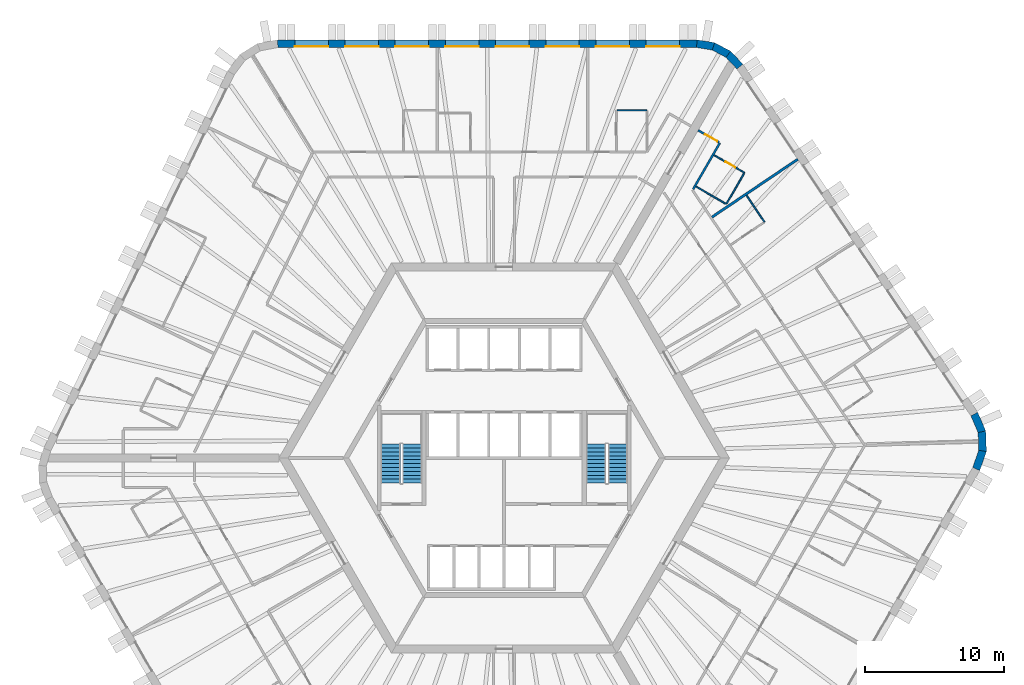
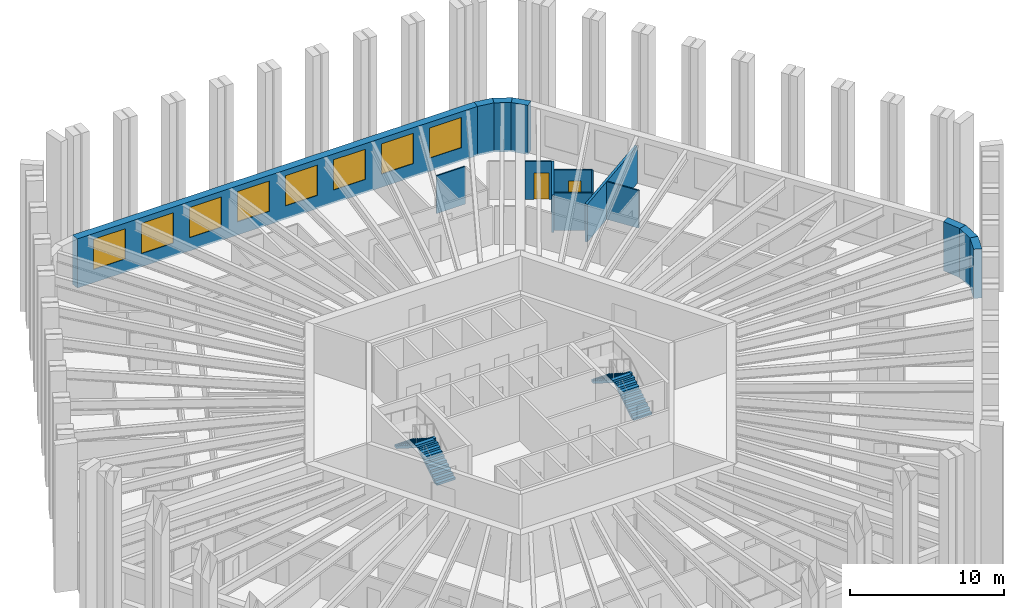
# One storey, part 10 of 12: 15 walls, 8 windows, 4 stair flights, 2 doors, 10 openings, 2 elements without a shape of their own.
"""IFC4 building model written with IfcOpenShell, lengths in metres."""

from ifc_helpers import new_model, si_unit, direction, frame, frame_2d, origin, place, context, subcontext, project, spatial, polyline, rectangle, outline, extrude, material, layer, layer_set, type_object, element, fill, aggregate, save


model = new_model("IFC4")

# Units and contexts
model_context = context("Model", 3, precision=1e-05, world=origin(), true_north=direction((0.0, 1.0)))
body_context = subcontext(model_context, "Body", "Model", "MODEL_VIEW")
ifc_project = project(units=[si_unit("LENGTHUNIT", "METRE"), si_unit("AREAUNIT", "SQUARE_METRE"), si_unit("VOLUMEUNIT", "CUBIC_METRE"), si_unit("PLANEANGLEUNIT", "RADIAN"), si_unit("MASSUNIT", "GRAM", prefix="KILO")], contexts=[model_context])

# Site, building, storey
site_placement = place(None, origin())
site = spatial("IfcSite", under=ifc_project, at=site_placement, CompositionType="ELEMENT")
building_placement = place(site_placement, origin())
building = spatial("IfcBuilding", under=site, at=building_placement, Name="Tarnside Tower", CompositionType="ELEMENT")
storey_placement = place(building_placement, frame((0.0, 0.0, 37.5)))
storey = spatial("IfcBuildingStorey", under=building, at=storey_placement, Name="L06", CompositionType="ELEMENT", Elevation=37.5)

# Walls
ifc_material_1 = material(Name="Gypsum board partition on steel studs", Category="steel")
ifc_layer_1 = layer(ifc_material_1, 0.10009765625)
ifc_layer_set_1 = layer_set([ifc_layer_1], Name="Bathroom wall 100")
wall_type_1 = type_object("IfcWallType", Name="Bathroom wall 100", PredefinedType="PARTITIONING", material=ifc_layer_set_1)
wall_1_placement = place(storey_placement, frame((8.097900390625, 24.949951171875, 0.0), z_axis=(0.0, 0.0, 1.0), x_axis=(1.0, 0.0, 0.0)))
element("IfcWall", 1, at=wall_1_placement, inside=storey, type_object=wall_type_1, Name="Bathroom wall 01078", PredefinedType="PARTITIONING", context=body_context, shape_type="SweptSolid", body=[
    extrude(rectangle(XDim=2.150146484375, YDim=0.10009765625, at=frame_2d((1.0751953125, 0.0))), origin(), (0.0, 0.0, 1.0), 2.98779296875),
])
wall_2_placement = place(storey_placement, frame((17.385986328125, 18.84228515625, 0.0), z_axis=(0.0, 0.0, 1.0), x_axis=(0.559131530856, -0.829078965602, 0.0)))
element("IfcWall", 2, at=wall_2_placement, inside=storey, type_object=wall_type_1, Name="Bathroom wall 01147", PredefinedType="PARTITIONING", context=body_context, shape_type="SweptSolid", body=[
    extrude(rectangle(XDim=2.309814453125, YDim=0.10009765625, at=frame_2d((1.15478515625, 0.0))), origin(), (0.0, 0.0, 1.0), 2.98779296875),
])

# Wall, opening, door
wall_3_placement = place(storey_placement, frame((15.057373046875, 21.72998046875, 0.0), z_axis=(0.0, 0.0, 1.0), x_axis=(0.866014894461, -0.50001820224, 0.0)))
wall_3 = element("IfcWall", 3, at=wall_3_placement, inside=storey, type_object=wall_type_1, Name="Bathroom wall 01153", PredefinedType="PARTITIONING", context=body_context, shape_type="SweptSolid", body=[
    extrude(rectangle(XDim=2.52490234375, YDim=0.10009765625, at=frame_2d((1.262451171875, 0.0))), origin(), (0.0, 0.0, 1.0), 2.98779296875),
])
opening_1_placement = place(wall_3_placement, frame((0.955078125, 0.0, 0.0)))
opening_1 = element("IfcOpeningElement", 4, at=opening_1_placement, cuts=wall_3, Name="Opening D-B1", PredefinedType="OPENING", context=body_context, shape_type="SweptSolid", body=[
    extrude(rectangle(XDim=0.800048828125, YDim=2.10009765625, at=frame_2d((0.39990234375, 1.050048828125))), frame((0.0, 0.06005859375, 0.0), z_axis=(0.0, -1.0, 0.0), x_axis=(1.0, 0.0, 0.0)), (0.0, 0.0, 1.0), 0.1201171875),
])
ifc_material_2 = material(Name="Timber door leaf", Category="wood")
door_type_1 = type_object("IfcDoorType", Name="Bathroom door 800", OperationType="NOTDEFINED", PredefinedType="DOOR", material=ifc_material_2)
door_1_placement = place(opening_1_placement, origin())
door_1 = element("IfcDoor", 5, at=door_1_placement, inside=storey, type_object=door_type_1, Name="Bathroom door 01041", OperationType="SINGLE_SWING_LEFT", OverallHeight=2.10009765625, OverallWidth=0.800048828125, PredefinedType="DOOR", context=body_context, shape_type="SweptSolid", body=[
    extrude(rectangle(XDim=0.800048828125, YDim=2.10009765625, at=frame_2d((0.39990234375, 1.050048828125))), frame((0.0, 0.02490234375, 0.0), z_axis=(0.0, -1.0, 0.0), x_axis=(1.0, 0.0, 0.0)), (0.0, 0.0, 1.0), 0.050048828125),
])
fill(opening_1, door_1)

# Walls
wall_4_placement = place(storey_placement, frame((17.218994140625, 20.42431640625, 0.0), z_axis=(0.0, 0.0, 1.0), x_axis=(-0.499948979701, -0.866054858364, 0.0)))
element("IfcWall", 6, at=wall_4_placement, inside=storey, type_object=wall_type_1, Name="Bathroom wall 01154", PredefinedType="PARTITIONING", context=body_context, shape_type="SweptSolid", body=[
    extrude(rectangle(XDim=2.550048828125, YDim=0.10009765625, at=frame_2d((1.27490234375, 0.0))), origin(), (0.0, 0.0, 1.0), 2.98779296875),
])
wall_5_placement = place(storey_placement, frame((15.900634765625, 18.24072265625, 0.0), z_axis=(0.0, 0.0, 1.0), x_axis=(-0.866006523861, 0.500032699561, 0.0)))
element("IfcWall", 7, at=wall_5_placement, inside=storey, type_object=wall_type_1, Name="Bathroom wall 01155", PredefinedType="PARTITIONING", context=body_context, shape_type="SweptSolid", body=[
    extrude(rectangle(XDim=2.474853515625, YDim=0.10009765625, at=frame_2d((1.2373046875, 0.0))), origin(), (0.0, 0.0, 1.0), 2.98779296875),
])
ifc_layer_2 = layer(ifc_material_1, 0.14990234375)
ifc_layer_set_2 = layer_set([ifc_layer_2], Name="Corridor wall 150 EI 60")
wall_type_2 = type_object("IfcWallType", Name="Corridor wall 150 EI 60", PredefinedType="PARTITIONING", material=ifc_layer_set_2)
wall_6_placement = place(storey_placement, frame((13.55908203125, 19.284912109375, 0.0), z_axis=(0.0, 0.0, 1.0), x_axis=(0.499975646431, 0.866039463868, 0.0)))
element("IfcWall", 8, at=wall_6_placement, inside=storey, type_object=wall_type_2, Name="Corridor wall 01064", PredefinedType="PARTITIONING", context=body_context, shape_type="SweptSolid", body=[
    extrude(rectangle(XDim=3.839599609375, YDim=0.14990234375, at=frame_2d((1.919921875, 0.0))), origin(), (0.0, 0.0, 1.0), 2.98779296875),
])

# Wall, opening, door
wall_7_placement = place(storey_placement, frame((15.413818359375, 22.647705078125, 0.0), z_axis=(0.0, 0.0, 1.0), x_axis=(-0.866074815912, 0.499914405916, 0.0)))
wall_7 = element("IfcWall", 9, at=wall_7_placement, inside=storey, type_object=wall_type_2, Name="Corridor wall 01066", PredefinedType="PARTITIONING", context=body_context, shape_type="SweptSolid", body=[
    extrude(rectangle(XDim=1.724853515625, YDim=0.14990234375, at=frame_2d((0.8623046875, 0.0))), origin(), (0.0, 0.0, 1.0), 2.98779296875),
])
opening_2_placement = place(wall_7_placement, frame((0.14990234375, 0.0, 0.0)))
opening_2 = element("IfcOpeningElement", 10, at=opening_2_placement, cuts=wall_7, Name="Opening D-E1", PredefinedType="OPENING", context=body_context, shape_type="SweptSolid", body=[
    extrude(rectangle(XDim=1.0, YDim=2.10009765625, at=frame_2d((0.5, 1.050048828125))), frame((0.0, 0.0849609375, 0.0), z_axis=(0.0, -1.0, 0.0), x_axis=(1.0, 0.0, 0.0)), (0.0, 0.0, 1.0), 0.169921875),
])
door_type_2 = type_object("IfcDoorType", Name="Unit entrance door 1000 FD30S", OperationType="NOTDEFINED", PredefinedType="DOOR", material=ifc_material_2)
door_2_placement = place(opening_2_placement, origin())
door_2 = element("IfcDoor", 11, at=door_2_placement, inside=storey, type_object=door_type_2, Name="Unit door 01040", OperationType="SINGLE_SWING_RIGHT", OverallHeight=2.10009765625, OverallWidth=1.0, PredefinedType="DOOR", context=body_context, shape_type="SweptSolid", body=[
    extrude(rectangle(XDim=1.0, YDim=2.10009765625, at=frame_2d((0.5, 1.050048828125))), frame((0.0, 0.02490234375, 0.0), z_axis=(0.0, -1.0, 0.0), x_axis=(1.0, 0.0, 0.0)), (0.0, 0.0, 1.0), 0.050048828125),
])
fill(opening_2, door_2)

# Wall
ifc_layer_3 = layer(ifc_material_1, 0.179931640625)
ifc_layer_set_3 = layer_set([ifc_layer_3], Name="Demising wall 180 EI 60")
wall_type_3 = type_object("IfcWallType", Name="Demising wall 180 EI 60", PredefinedType="PARTITIONING", material=ifc_layer_set_3)
wall_8_placement = place(storey_placement, frame((21.066162109375, 21.433349609375, 0.0), z_axis=(0.0, 0.0, 1.0), x_axis=(-0.829028170871, -0.559206841788, 0.0)))
element("IfcWall", 12, at=wall_8_placement, inside=storey, type_object=wall_type_3, Name="Demising wall 01151", PredefinedType="PARTITIONING", context=body_context, shape_type="SweptSolid", body=[
    extrude(rectangle(XDim=7.425048828125, YDim=0.179931640625, at=frame_2d((3.71240234375, 0.0))), origin(), (0.0, 0.0, 1.0), 2.98779296875),
])

# Wall, openings, windows
ifc_material_3 = material(Name="Facing brick", Category="masonry")
ifc_layer_4 = layer(ifc_material_3, 0.10205078125)
ifc_material_4 = material(Name="Concrete C60/75 precast", Category="concrete")
ifc_layer_5 = layer(ifc_material_4, 0.347900390625)
ifc_material_5 = material(Name="Mineral wool insulation")
ifc_layer_6 = layer(ifc_material_5, 0.10009765625)
ifc_layer_set_4 = layer_set([ifc_layer_4, ifc_layer_5, ifc_layer_6], Name="Tube wall 550 brick faced")
wall_type_4 = type_object("IfcWallType", Name="Tube wall 550 brick faced", PredefinedType="SOLIDWALL", material=ifc_layer_set_4)
wall_9_placement = place(storey_placement, frame((13.824462890625, 29.72509765625, -0.14990234375), z_axis=(0.0, 0.0, 1.0), x_axis=(-1.0, 0.0, 0.0)))
wall_9 = element("IfcWall", 13, at=wall_9_placement, inside=storey, type_object=wall_type_4, Name="Tube wall L06 F1 flush 00", PredefinedType="SOLIDWALL", context=body_context, shape_type="SweptSolid", body=[
    extrude(outline(polyline([(-0.0224609375, -0.27490234375), (30.0966796875, -0.27490234375), (30.04541015625, 0.27490234375), (0.0224609375, 0.27490234375), (-0.0224609375, -0.27490234375)])), origin(), (0.0, 0.0, 1.0), 3.89990234375),
])
opening_3_placement = place(wall_9_placement, frame((1.235595703125, 0.0, 1.050048828125)))
opening_3 = element("IfcOpeningElement", 14, at=opening_3_placement, cuts=wall_9, Name="Opening WH", PredefinedType="OPENING", context=body_context, shape_type="SweptSolid", body=[
    extrude(rectangle(XDim=2.39990234375, YDim=2.39990234375, at=frame_2d((1.199951171875, 1.199951171875))), frame((0.0, 0.28515625, 0.0), z_axis=(0.0, -1.0, 0.0), x_axis=(1.0, 0.0, 0.0)), (0.0, 0.0, 1.0), 0.570068359375),
])
opening_4_placement = place(wall_9_placement, frame((4.83544921875, 0.0, 1.050048828125)))
opening_4 = element("IfcOpeningElement", 15, at=opening_4_placement, cuts=wall_9, Name="Opening WH", PredefinedType="OPENING", context=body_context, shape_type="SweptSolid", body=[
    extrude(rectangle(XDim=2.39990234375, YDim=2.39990234375, at=frame_2d((1.199951171875, 1.199951171875))), frame((0.0, 0.28515625, 0.0), z_axis=(0.0, -1.0, 0.0), x_axis=(1.0, 0.0, 0.0)), (0.0, 0.0, 1.0), 0.570068359375),
])
opening_5_placement = place(wall_9_placement, frame((8.435546875, 0.0, 1.050048828125)))
opening_5 = element("IfcOpeningElement", 16, at=opening_5_placement, cuts=wall_9, Name="Opening WH", PredefinedType="OPENING", context=body_context, shape_type="SweptSolid", body=[
    extrude(rectangle(XDim=2.39990234375, YDim=2.39990234375, at=frame_2d((1.199951171875, 1.199951171875))), frame((0.0, 0.28515625, 0.0), z_axis=(0.0, -1.0, 0.0), x_axis=(1.0, 0.0, 0.0)), (0.0, 0.0, 1.0), 0.570068359375),
])
opening_6_placement = place(wall_9_placement, frame((12.035400390625, 0.0, 1.050048828125)))
opening_6 = element("IfcOpeningElement", 17, at=opening_6_placement, cuts=wall_9, Name="Opening WH", PredefinedType="OPENING", context=body_context, shape_type="SweptSolid", body=[
    extrude(rectangle(XDim=2.39990234375, YDim=2.39990234375, at=frame_2d((1.199951171875, 1.199951171875))), frame((0.0, 0.28515625, 0.0), z_axis=(0.0, -1.0, 0.0), x_axis=(1.0, 0.0, 0.0)), (0.0, 0.0, 1.0), 0.570068359375),
])
opening_7_placement = place(wall_9_placement, frame((15.635498046875, 0.0, 1.050048828125)))
opening_7 = element("IfcOpeningElement", 18, at=opening_7_placement, cuts=wall_9, Name="Opening WH", PredefinedType="OPENING", context=body_context, shape_type="SweptSolid", body=[
    extrude(rectangle(XDim=2.39990234375, YDim=2.39990234375, at=frame_2d((1.199951171875, 1.199951171875))), frame((0.0, 0.28515625, 0.0), z_axis=(0.0, -1.0, 0.0), x_axis=(1.0, 0.0, 0.0)), (0.0, 0.0, 1.0), 0.570068359375),
])
opening_8_placement = place(wall_9_placement, frame((19.235595703125, 0.0, 1.050048828125)))
opening_8 = element("IfcOpeningElement", 19, at=opening_8_placement, cuts=wall_9, Name="Opening WH", PredefinedType="OPENING", context=body_context, shape_type="SweptSolid", body=[
    extrude(rectangle(XDim=2.39990234375, YDim=2.39990234375, at=frame_2d((1.199951171875, 1.199951171875))), frame((0.0, 0.28515625, 0.0), z_axis=(0.0, -1.0, 0.0), x_axis=(1.0, 0.0, 0.0)), (0.0, 0.0, 1.0), 0.570068359375),
])
opening_9_placement = place(wall_9_placement, frame((22.83544921875, 0.0, 1.050048828125)))
opening_9 = element("IfcOpeningElement", 20, at=opening_9_placement, cuts=wall_9, Name="Opening WH", PredefinedType="OPENING", context=body_context, shape_type="SweptSolid", body=[
    extrude(rectangle(XDim=2.39990234375, YDim=2.39990234375, at=frame_2d((1.199951171875, 1.199951171875))), frame((0.0, 0.28515625, 0.0), z_axis=(0.0, -1.0, 0.0), x_axis=(1.0, 0.0, 0.0)), (0.0, 0.0, 1.0), 0.570068359375),
])
opening_10_placement = place(wall_9_placement, frame((26.435546875, 0.0, 1.050048828125)))
opening_10 = element("IfcOpeningElement", 21, at=opening_10_placement, cuts=wall_9, Name="Opening WH", PredefinedType="OPENING", context=body_context, shape_type="SweptSolid", body=[
    extrude(rectangle(XDim=2.39990234375, YDim=2.39990234375, at=frame_2d((1.199951171875, 1.199951171875))), frame((0.0, 0.28515625, 0.0), z_axis=(0.0, -1.0, 0.0), x_axis=(1.0, 0.0, 0.0)), (0.0, 0.0, 1.0), 0.570068359375),
])
ifc_material_6 = material(Name="Aluminium-framed double glazing", Category="aluminium")
window_type = type_object("IfcWindowType", Name="Hotel window 2400 x 2400", PartitioningType="DOUBLE_PANEL_VERTICAL", PredefinedType="WINDOW", material=ifc_material_6)
window_1_placement = place(opening_3_placement, frame((0.0, 0.205078125, 0.0)))
window_1 = element("IfcWindow", 22, at=window_1_placement, inside=storey, type_object=window_type, Name="E.WN.L06.F1.00", OverallHeight=2.39990234375, OverallWidth=2.39990234375, PartitioningType="DOUBLE_PANEL_VERTICAL", PredefinedType="WINDOW", context=body_context, shape_type="SweptSolid", body=[
    extrude(rectangle(XDim=2.39990234375, YDim=2.39990234375, at=frame_2d((1.199951171875, 1.199951171875))), frame((0.0, 0.030029296875, 0.0), z_axis=(0.0, -1.0, 0.0), x_axis=(1.0, 0.0, 0.0)), (0.0, 0.0, 1.0), 0.06005859375),
])
fill(opening_3, window_1)
window_2_placement = place(opening_4_placement, frame((0.0, 0.205078125, 0.0)))
window_2 = element("IfcWindow", 23, at=window_2_placement, inside=storey, type_object=window_type, Name="E.WN.L06.F1.01", OverallHeight=2.39990234375, OverallWidth=2.39990234375, PartitioningType="DOUBLE_PANEL_VERTICAL", PredefinedType="WINDOW", context=body_context, shape_type="SweptSolid", body=[
    extrude(rectangle(XDim=2.39990234375, YDim=2.39990234375, at=frame_2d((1.199951171875, 1.199951171875))), frame((0.0, 0.030029296875, 0.0), z_axis=(0.0, -1.0, 0.0), x_axis=(1.0, 0.0, 0.0)), (0.0, 0.0, 1.0), 0.06005859375),
])
fill(opening_4, window_2)
window_3_placement = place(opening_5_placement, frame((0.0, 0.205078125, 0.0)))
window_3 = element("IfcWindow", 24, at=window_3_placement, inside=storey, type_object=window_type, Name="E.WN.L06.F1.02", OverallHeight=2.39990234375, OverallWidth=2.39990234375, PartitioningType="DOUBLE_PANEL_VERTICAL", PredefinedType="WINDOW", context=body_context, shape_type="SweptSolid", body=[
    extrude(rectangle(XDim=2.39990234375, YDim=2.39990234375, at=frame_2d((1.199951171875, 1.199951171875))), frame((0.0, 0.030029296875, 0.0), z_axis=(0.0, -1.0, 0.0), x_axis=(1.0, 0.0, 0.0)), (0.0, 0.0, 1.0), 0.06005859375),
])
fill(opening_5, window_3)
window_4_placement = place(opening_6_placement, frame((0.0, 0.205078125, 0.0)))
window_4 = element("IfcWindow", 25, at=window_4_placement, inside=storey, type_object=window_type, Name="E.WN.L06.F1.03", OverallHeight=2.39990234375, OverallWidth=2.39990234375, PartitioningType="DOUBLE_PANEL_VERTICAL", PredefinedType="WINDOW", context=body_context, shape_type="SweptSolid", body=[
    extrude(rectangle(XDim=2.39990234375, YDim=2.39990234375, at=frame_2d((1.199951171875, 1.199951171875))), frame((0.0, 0.030029296875, 0.0), z_axis=(0.0, -1.0, 0.0), x_axis=(1.0, 0.0, 0.0)), (0.0, 0.0, 1.0), 0.06005859375),
])
fill(opening_6, window_4)
window_5_placement = place(opening_7_placement, frame((0.0, 0.205078125, 0.0)))
window_5 = element("IfcWindow", 26, at=window_5_placement, inside=storey, type_object=window_type, Name="E.WN.L06.F1.04", OverallHeight=2.39990234375, OverallWidth=2.39990234375, PartitioningType="DOUBLE_PANEL_VERTICAL", PredefinedType="WINDOW", context=body_context, shape_type="SweptSolid", body=[
    extrude(rectangle(XDim=2.39990234375, YDim=2.39990234375, at=frame_2d((1.199951171875, 1.199951171875))), frame((0.0, 0.030029296875, 0.0), z_axis=(0.0, -1.0, 0.0), x_axis=(1.0, 0.0, 0.0)), (0.0, 0.0, 1.0), 0.06005859375),
])
fill(opening_7, window_5)
window_6_placement = place(opening_8_placement, frame((0.0, 0.205078125, 0.0)))
window_6 = element("IfcWindow", 27, at=window_6_placement, inside=storey, type_object=window_type, Name="E.WN.L06.F1.05", OverallHeight=2.39990234375, OverallWidth=2.39990234375, PartitioningType="DOUBLE_PANEL_VERTICAL", PredefinedType="WINDOW", context=body_context, shape_type="SweptSolid", body=[
    extrude(rectangle(XDim=2.39990234375, YDim=2.39990234375, at=frame_2d((1.199951171875, 1.199951171875))), frame((0.0, 0.030029296875, 0.0), z_axis=(0.0, -1.0, 0.0), x_axis=(1.0, 0.0, 0.0)), (0.0, 0.0, 1.0), 0.06005859375),
])
fill(opening_8, window_6)
window_7_placement = place(opening_9_placement, frame((0.0, 0.205078125, 0.0)))
window_7 = element("IfcWindow", 28, at=window_7_placement, inside=storey, type_object=window_type, Name="E.WN.L06.F1.06", OverallHeight=2.39990234375, OverallWidth=2.39990234375, PartitioningType="DOUBLE_PANEL_VERTICAL", PredefinedType="WINDOW", context=body_context, shape_type="SweptSolid", body=[
    extrude(rectangle(XDim=2.39990234375, YDim=2.39990234375, at=frame_2d((1.199951171875, 1.199951171875))), frame((0.0, 0.030029296875, 0.0), z_axis=(0.0, -1.0, 0.0), x_axis=(1.0, 0.0, 0.0)), (0.0, 0.0, 1.0), 0.06005859375),
])
fill(opening_9, window_7)
window_8_placement = place(opening_10_placement, frame((0.0, 0.205078125, 0.0)))
window_8 = element("IfcWindow", 29, at=window_8_placement, inside=storey, type_object=window_type, Name="E.WN.L06.F1.07", OverallHeight=2.39990234375, OverallWidth=2.39990234375, PartitioningType="DOUBLE_PANEL_VERTICAL", PredefinedType="WINDOW", context=body_context, shape_type="SweptSolid", body=[
    extrude(rectangle(XDim=2.39990234375, YDim=2.39990234375, at=frame_2d((1.199951171875, 1.199951171875))), frame((0.0, 0.030029296875, 0.0), z_axis=(0.0, -1.0, 0.0), x_axis=(1.0, 0.0, 0.0)), (0.0, 0.0, 1.0), 0.06005859375),
])
fill(opening_10, window_8)

# Walls
wall_10_placement = place(storey_placement, frame((33.865966796875, -0.79248046875, -0.14990234375), z_axis=(0.0, 0.0, 1.0), x_axis=(0.33111537203, 0.943590276765, 0.0)))
element("IfcWall", 30, at=wall_10_placement, inside=storey, type_object=wall_type_4, Name="Tube wall L06 F5 chord 17", PredefinedType="SOLIDWALL", context=body_context, shape_type="SweptSolid", body=[
    extrude(outline(polyline([(-0.025634765625, -0.27490234375), (1.4306640625, -0.27490234375), (1.3271484375, 0.27490234375), (0.025634765625, 0.27490234375), (-0.025634765625, -0.27490234375)])), origin(), (0.0, 0.0, 1.0), 3.89990234375),
])
wall_11_placement = place(storey_placement, frame((34.322509765625, 0.508544921875, -0.14990234375), z_axis=(0.0, 0.0, 1.0), x_axis=(-0.034876908462, 0.999391615562, 0.0)))
element("IfcWall", 31, at=wall_11_placement, inside=storey, type_object=wall_type_4, Name="Tube wall L06 F5 chord 18", PredefinedType="SOLIDWALL", context=body_context, shape_type="SweptSolid", body=[
    extrude(outline(polyline([(-0.0517578125, -0.27490234375), (1.4306640625, -0.27490234375), (1.3271484375, 0.27490234375), (0.0517578125, 0.27490234375), (-0.0517578125, -0.27490234375)])), origin(), (0.0, 0.0, 1.0), 3.89990234375),
])
wall_12_placement = place(storey_placement, frame((34.2744140625, 1.88671875, -0.14990234375), z_axis=(0.0, 0.0, 1.0), x_axis=(-0.396161342798, 0.918180913803, 0.0)))
element("IfcWall", 32, at=wall_12_placement, inside=storey, type_object=wall_type_4, Name="Tube wall L06 F5 chord 19", PredefinedType="SOLIDWALL", context=body_context, shape_type="SweptSolid", body=[
    extrude(outline(polyline([(-0.0517578125, -0.27490234375), (1.40478515625, -0.27490234375), (1.353515625, 0.27490234375), (0.0517578125, 0.27490234375), (-0.0517578125, -0.27490234375)])), origin(), (0.0, 0.0, 1.0), 3.89990234375),
])
wall_13_placement = place(storey_placement, frame((16.91259765625, 28.0830078125, -0.14990234375), z_axis=(0.0, 0.0, 1.0), x_axis=(-0.686196220404, 0.727416488061, 0.0)))
element("IfcWall", 33, at=wall_13_placement, inside=storey, type_object=wall_type_4, Name="Tube wall L06 F6 chord 21", PredefinedType="SOLIDWALL", context=body_context, shape_type="SweptSolid", body=[
    extrude(outline(polyline([(-0.0224609375, -0.27490234375), (1.25341796875, -0.27490234375), (1.1630859375, 0.27490234375), (0.0224609375, 0.27490234375), (-0.0224609375, -0.27490234375)])), origin(), (0.0, 0.0, 1.0), 3.89990234375),
])
wall_14_placement = place(storey_placement, frame((16.08349609375, 28.9619140625, -0.14990234375), z_axis=(0.0, 0.0, 1.0), x_axis=(-0.882995347911, 0.469381737574, 0.0)))
element("IfcWall", 34, at=wall_14_placement, inside=storey, type_object=wall_type_4, Name="Tube wall L06 F6 chord 22", PredefinedType="SOLIDWALL", context=body_context, shape_type="SweptSolid", body=[
    extrude(outline(polyline([(-0.045166015625, -0.27490234375), (1.25341796875, -0.27490234375), (1.1630859375, 0.27490234375), (0.045166015625, 0.27490234375), (-0.045166015625, -0.27490234375)])), origin(), (0.0, 0.0, 1.0), 3.89990234375),
])
wall_15_placement = place(storey_placement, frame((15.0166015625, 29.529052734375, -0.14990234375), z_axis=(0.0, 0.0, 1.0), x_axis=(-0.986746625868, 0.162268593195, 0.0)))
element("IfcWall", 35, at=wall_15_placement, inside=storey, type_object=wall_type_4, Name="Tube wall L06 F6 chord 23", PredefinedType="SOLIDWALL", context=body_context, shape_type="SweptSolid", body=[
    extrude(outline(polyline([(-0.045166015625, -0.27490234375), (1.230712890625, -0.27490234375), (1.185791015625, 0.27490234375), (0.045166015625, 0.27490234375), (-0.045166015625, -0.27490234375)])), origin(), (0.0, 0.0, 1.0), 3.89990234375),
])

# Stair, stair flights
ifc_material_7 = material(Name="Concrete C40/50", Category="concrete")
stair_type = type_object("IfcStairType", Name="Exit stair 1400 clear", PredefinedType="HALF_TURN_STAIR", material=ifc_material_7)
stair_1_placement = place(storey_placement, origin())
stair_1 = element("IfcStair", 36, at=stair_1_placement, inside=storey, type_object=stair_type, Name="L06 Exit stair 1", PredefinedType="HALF_TURN_STAIR")
stair_flight_type = type_object("IfcStairFlightType", Name="Exit stair flight 1400", PredefinedType="STRAIGHT", material=ifc_material_7)
stair_flight_1_placement = place(storey_placement, frame((8.14990234375, -1.800048828125, 0.0), z_axis=(0.0, 0.0, 1.0), x_axis=(0.0, 1.0, 0.0)))
stair_flight_1 = element("IfcStairFlight", 37, at=stair_flight_1_placement, type_object=stair_flight_type, Name="ST1 flight 1", NumberOfRisers=11, NumberOfTreads=10, PredefinedType="STRAIGHT", RiserHeight=0.177272727, TreadLength=0.28, context=body_context, shape_type="SweptSolid", body=[
    extrude(outline(polyline([(0.0, 0.0), (0.0, 0.17724609375), (0.280029296875, 0.17724609375), (0.280029296875, 0.3544921875), (0.56005859375, 0.3544921875), (0.56005859375, 0.53173828125), (0.840087890625, 0.53173828125), (0.840087890625, 0.708984375), (1.1201171875, 0.708984375), (1.1201171875, 0.886474609375), (1.39990234375, 0.886474609375), (1.39990234375, 1.063720703125), (1.679931640625, 1.063720703125), (1.679931640625, 1.240966796875), (1.9599609375, 1.240966796875), (1.9599609375, 1.418212890625), (2.239990234375, 1.418212890625), (2.239990234375, 1.595458984375), (2.52001953125, 1.595458984375), (2.52001953125, 1.772705078125), (2.800048828125, 1.772705078125), (2.800048828125, 1.949951171875), (2.800048828125, 1.59521484375), (0.2802734375, 0.0), (0.0, 0.0)])), frame((0.0, 0.699951171875, 0.0), z_axis=(0.0, -1.0, 0.0), x_axis=(1.0, 0.0, 0.0)), (0.0, 0.0, 1.0), 1.39990234375),
])
stair_flight_2_placement = place(storey_placement, frame((6.60009765625, 1.0, 1.949951171875), z_axis=(0.0, 0.0, 1.0), x_axis=(0.0, -1.0, 0.0)))
stair_flight_2 = element("IfcStairFlight", 38, at=stair_flight_2_placement, type_object=stair_flight_type, Name="ST1 flight 2", NumberOfRisers=11, NumberOfTreads=10, PredefinedType="STRAIGHT", RiserHeight=0.177272727, TreadLength=0.28, context=body_context, shape_type="SweptSolid", body=[
    extrude(outline(polyline([(0.0, 0.0), (0.0, 0.17724609375), (0.280029296875, 0.17724609375), (0.280029296875, 0.3544921875), (0.56005859375, 0.3544921875), (0.56005859375, 0.53173828125), (0.840087890625, 0.53173828125), (0.840087890625, 0.708984375), (1.1201171875, 0.708984375), (1.1201171875, 0.886474609375), (1.39990234375, 0.886474609375), (1.39990234375, 1.063720703125), (1.679931640625, 1.063720703125), (1.679931640625, 1.240966796875), (1.9599609375, 1.240966796875), (1.9599609375, 1.418212890625), (2.239990234375, 1.418212890625), (2.239990234375, 1.595458984375), (2.52001953125, 1.595458984375), (2.52001953125, 1.772705078125), (2.800048828125, 1.772705078125), (2.800048828125, 1.949951171875), (2.800048828125, 1.59521484375), (0.2802734375, 0.0), (0.0, 0.0)])), frame((0.0, 0.699951171875, 0.0), z_axis=(0.0, -1.0, 0.0), x_axis=(1.0, 0.0, 0.0)), (0.0, 0.0, 1.0), 1.39990234375),
])
aggregate(stair_1, [stair_flight_1, stair_flight_2])

stair_2_placement = place(storey_placement, origin())
stair_2 = element("IfcStair", 39, at=stair_2_placement, inside=storey, type_object=stair_type, Name="L06 Exit stair 2", PredefinedType="HALF_TURN_STAIR")
stair_flight_3_placement = place(storey_placement, frame((-6.60009765625, -1.800048828125, 0.0), z_axis=(0.0, 0.0, 1.0), x_axis=(0.0, 1.0, 0.0)))
stair_flight_3 = element("IfcStairFlight", 40, at=stair_flight_3_placement, type_object=stair_flight_type, Name="ST2 flight 1", NumberOfRisers=11, NumberOfTreads=10, PredefinedType="STRAIGHT", RiserHeight=0.177272727, TreadLength=0.28, context=body_context, shape_type="SweptSolid", body=[
    extrude(outline(polyline([(0.0, 0.0), (0.0, 0.17724609375), (0.280029296875, 0.17724609375), (0.280029296875, 0.3544921875), (0.56005859375, 0.3544921875), (0.56005859375, 0.53173828125), (0.840087890625, 0.53173828125), (0.840087890625, 0.708984375), (1.1201171875, 0.708984375), (1.1201171875, 0.886474609375), (1.39990234375, 0.886474609375), (1.39990234375, 1.063720703125), (1.679931640625, 1.063720703125), (1.679931640625, 1.240966796875), (1.9599609375, 1.240966796875), (1.9599609375, 1.418212890625), (2.239990234375, 1.418212890625), (2.239990234375, 1.595458984375), (2.52001953125, 1.595458984375), (2.52001953125, 1.772705078125), (2.800048828125, 1.772705078125), (2.800048828125, 1.949951171875), (2.800048828125, 1.59521484375), (0.2802734375, 0.0), (0.0, 0.0)])), frame((0.0, 0.699951171875, 0.0), z_axis=(0.0, -1.0, 0.0), x_axis=(1.0, 0.0, 0.0)), (0.0, 0.0, 1.0), 1.39990234375),
])
stair_flight_4_placement = place(storey_placement, frame((-8.14990234375, 1.0, 1.949951171875), z_axis=(0.0, 0.0, 1.0), x_axis=(0.0, -1.0, 0.0)))
stair_flight_4 = element("IfcStairFlight", 41, at=stair_flight_4_placement, type_object=stair_flight_type, Name="ST2 flight 2", NumberOfRisers=11, NumberOfTreads=10, PredefinedType="STRAIGHT", RiserHeight=0.177272727, TreadLength=0.28, context=body_context, shape_type="SweptSolid", body=[
    extrude(outline(polyline([(0.0, 0.0), (0.0, 0.17724609375), (0.280029296875, 0.17724609375), (0.280029296875, 0.3544921875), (0.56005859375, 0.3544921875), (0.56005859375, 0.53173828125), (0.840087890625, 0.53173828125), (0.840087890625, 0.708984375), (1.1201171875, 0.708984375), (1.1201171875, 0.886474609375), (1.39990234375, 0.886474609375), (1.39990234375, 1.063720703125), (1.679931640625, 1.063720703125), (1.679931640625, 1.240966796875), (1.9599609375, 1.240966796875), (1.9599609375, 1.418212890625), (2.239990234375, 1.418212890625), (2.239990234375, 1.595458984375), (2.52001953125, 1.595458984375), (2.52001953125, 1.772705078125), (2.800048828125, 1.772705078125), (2.800048828125, 1.949951171875), (2.800048828125, 1.59521484375), (0.2802734375, 0.0), (0.0, 0.0)])), frame((0.0, 0.699951171875, 0.0), z_axis=(0.0, -1.0, 0.0), x_axis=(1.0, 0.0, 0.0)), (0.0, 0.0, 1.0), 1.39990234375),
])
aggregate(stair_2, [stair_flight_3, stair_flight_4])

save(model, "model.ifc")
